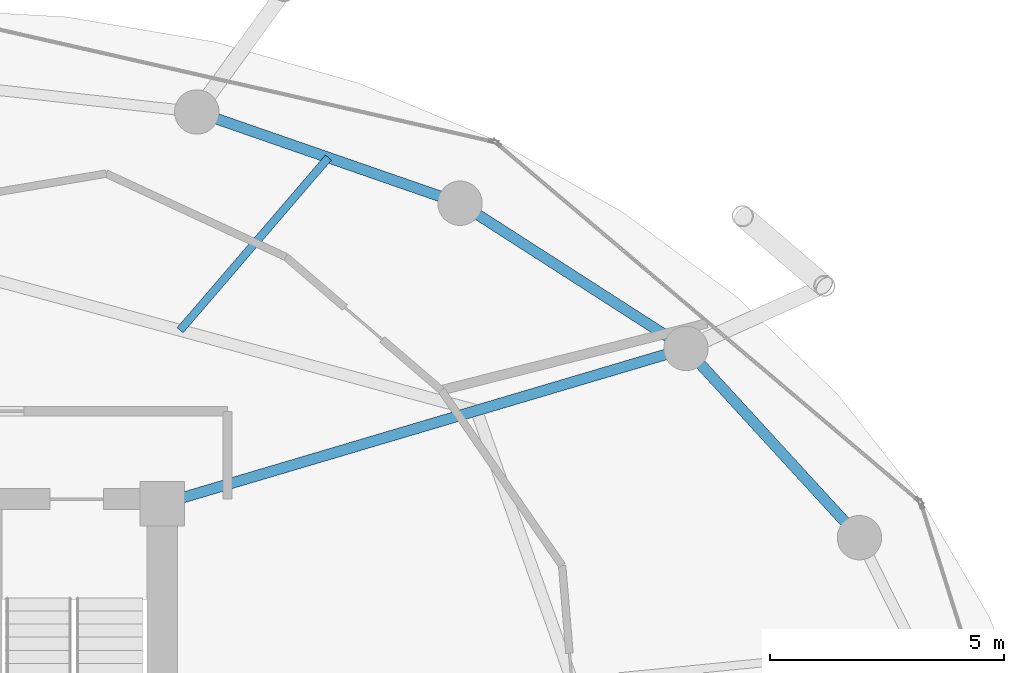
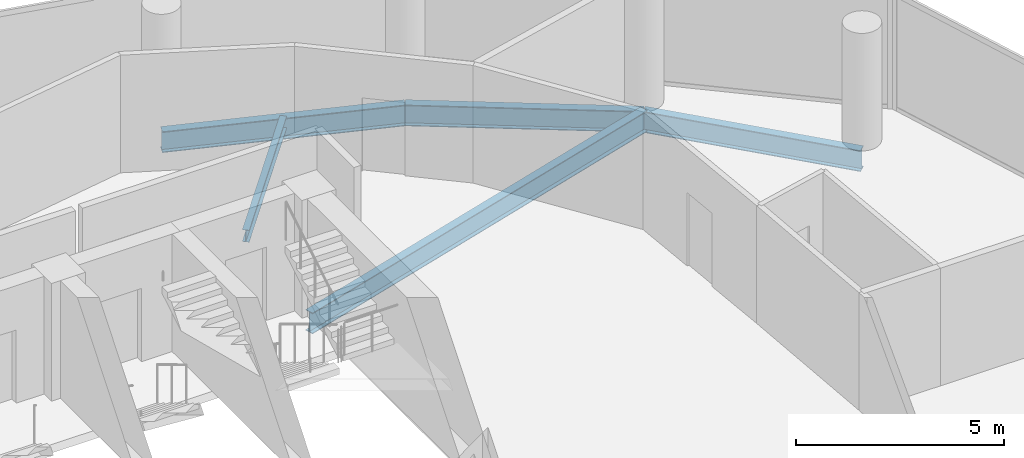
# One storey, part 18 of 26: 5 beams.
"""IFC4 building model written with IfcOpenShell, lengths in metres."""

import ifcopenshell
import ifcopenshell.guid

model = None  # the IFC model being written
_history = None  # IfcOwnerHistory: only IFC2X3 demands one
_inside = {}  # id of a spatial element -> (the spatial element, [elements in it])
_under = {}  # id of a project, library or spatial element -> (it, [spatial elements below it])
_declared = {}  # id of a project -> (the project, [libraries it declares])
_typed = {}  # id of a type object -> (the type object, [elements of that type])
_made_of = {}  # id of a material, layer set ... -> (it, [elements and type objects made of it])


def new_model(schema):
    """Start an empty IFC model of exactly this schema.

    Asked for "IFC4X3", IfcOpenShell would pick the latest addendum, in which some entities
    have other attributes; the version numbers below select the first issue.
    IFC2X3 requires an IfcOwnerHistory on every rooted entity: one is made here for all.
    """
    global model, _history
    if schema == "IFC4X3":
        model = ifcopenshell.file(schema_version=(4, 3, 0, 0))
    else:
        model = ifcopenshell.file(schema=schema)
    _inside.clear()
    _under.clear()
    _declared.clear()
    _typed.clear()
    _made_of.clear()
    _history = None
    if model.schema == "IFC2X3":
        org = make("IfcOrganization", Name="unknown")
        user = make(
            "IfcPersonAndOrganization",
            ThePerson=make("IfcPerson", FamilyName="unknown"),
            TheOrganization=org,
        )
        app = make(
            "IfcApplication",
            ApplicationDeveloper=org,
            Version="unknown",
            ApplicationFullName="unknown",
            ApplicationIdentifier="unknown",
        )
        _history = make(
            "IfcOwnerHistory",
            OwningUser=user,
            OwningApplication=app,
            ChangeAction="ADDED",
            CreationDate=0,
        )
    return model


def make(cls, **values):
    """One entity of the class cls with the attributes given. An attribute that is None is left unset."""
    return model.create_entity(
        cls, **{name: value for name, value in values.items() if value is not None}
    )


def rooted(cls, **values):
    """An entity with a GlobalId (a new one), such as an element, a storey or a relation."""
    return make(cls, GlobalId=ifcopenshell.guid.new(), OwnerHistory=_history, **values)


def si_unit(unit_type, name, prefix=None):
    """IfcSIUnit, for example si_unit("LENGTHUNIT", "METRE", prefix="MILLI")."""
    return make("IfcSIUnit", UnitType=unit_type, Prefix=prefix, Name=name)


def assignment(units):
    """IfcUnitAssignment: the units of a project."""
    return None if units is None else make("IfcUnitAssignment", Units=units)


def point(xyz):
    """IfcCartesianPoint."""
    return None if xyz is None else make("IfcCartesianPoint", Coordinates=xyz)


def direction(xyz):
    """IfcDirection."""
    return None if xyz is None else make("IfcDirection", DirectionRatios=xyz)


def frame(location, z_axis=None, x_axis=None):
    """IfcAxis2Placement3D, a coordinate frame: its origin and axes. An axis left out is left unset."""
    return make(
        "IfcAxis2Placement3D",
        Location=point(location),
        Axis=direction(z_axis),
        RefDirection=direction(x_axis),
    )


def frame_2d(location, x_axis=None):
    """IfcAxis2Placement2D, a coordinate frame in the plane: its origin and x axis."""
    return make(
        "IfcAxis2Placement2D", Location=point(location), RefDirection=direction(x_axis)
    )


def origin():
    """The frame at (0, 0, 0) with its axes left unset."""
    return frame((0.0, 0.0, 0.0))


def origin_2d():
    """The frame at (0, 0) in the plane with its x axis left unset."""
    return frame_2d((0.0, 0.0))


def place(relative_to, where):
    """IfcLocalPlacement: puts the frame where relative to a parent placement (None: the world)."""
    return make(
        "IfcLocalPlacement", PlacementRelTo=relative_to, RelativePlacement=where
    )


def context(
    kind, dimensions, precision=None, world=None, true_north=None, identifier=None
):
    """IfcGeometricRepresentationContext, for example the 3D "Model" context."""
    return make(
        "IfcGeometricRepresentationContext",
        ContextIdentifier=identifier,
        ContextType=kind,
        CoordinateSpaceDimension=dimensions,
        Precision=precision,
        WorldCoordinateSystem=world,
        TrueNorth=true_north,
    )


def subcontext(parent, identifier, kind, view, scale=None):
    """IfcGeometricRepresentationSubContext, for example "Body" below "Model"."""
    return make(
        "IfcGeometricRepresentationSubContext",
        ContextIdentifier=identifier,
        ContextType=kind,
        ParentContext=parent,
        TargetScale=scale,
        TargetView=view,
    )


def project(units=None, contexts=None):
    """IfcProject with its units and contexts."""
    return rooted(
        "IfcProject",
        Name="project",
        RepresentationContexts=contexts,
        UnitsInContext=assignment(units),
    )


def spatial(cls, under=None, at=None, **own):
    """A site, building, storey or space (cls), placed at a placement, below another one or the project."""
    s = rooted(cls, ObjectPlacement=at, **own)
    if under is not None:
        _under.setdefault(under.id(), (under, []))[1].append(s)
    return s


def profile(cls, at=None, kind="AREA", **sizes):
    """A parametric profile (cls). Its sizes go by their IFC names, for example OverallWidth=200.0."""
    return make(cls, ProfileType=kind, Position=at, **sizes)


def i_section(**sizes):
    """IfcIShapeProfileDef."""
    return profile("IfcIShapeProfileDef", **sizes)


def extrude(swept, where, along, depth):
    """IfcExtrudedAreaSolid: the profile swept, set in the frame where, extruded along a direction by depth."""
    return make(
        "IfcExtrudedAreaSolid",
        SweptArea=swept,
        Position=where,
        ExtrudedDirection=direction(along),
        Depth=depth,
    )


def shape(context_of_items, identifier, shape_type, items):
    """IfcShapeRepresentation: the items that make up one representation, for example the "Body"."""
    return make(
        "IfcShapeRepresentation",
        ContextOfItems=context_of_items,
        RepresentationIdentifier=identifier,
        RepresentationType=shape_type,
        Items=items,
    )


def material(Name=None, Category=None):
    """IfcMaterial."""
    return make("IfcMaterial", Name=Name, Category=Category)


def material_profile(
    of_material, cross_section, Name=None, Category=None, Priority=None
):
    """IfcMaterialProfile: a cross section and its material."""
    return make(
        "IfcMaterialProfile",
        Name=Name,
        Material=of_material,
        Profile=cross_section,
        Priority=Priority,
        Category=Category,
    )


def profile_set(profiles, Name=None, composite=None):
    """IfcMaterialProfileSet."""
    return make(
        "IfcMaterialProfileSet",
        Name=Name,
        MaterialProfiles=profiles,
        CompositeProfile=composite,
    )


def made_of(thing, what):
    """Note that an element or type object is made of a material, layer set ...; save() writes the relation."""
    if what is not None:
        _made_of.setdefault(what.id(), (what, []))[1].append(thing)
    return thing


def type_object(cls, material=None, **own):
    """A type object (cls), such as IfcWallType, which elements share."""
    return made_of(rooted(cls, **own), material)


def element(
    cls,
    number,
    at=None,
    inside=None,
    cuts=None,
    type_object=None,
    material=None,
    context=None,
    identifier="Body",
    shape_type=None,
    held_by="IfcProductDefinitionShape",
    body=None,
    shapes=None,
    **own,
):
    """One element of the class cls, such as IfcWall. Its Tag is "e" and its number.

    at: its placement. inside: the storey or other place that contains it. cuts: it is an
    opening in that element (IfcRelVoidsElement). A single representation is given by context,
    identifier, shape_type and body (its items); several are given by shapes. held_by: the class
    of the entity that holds the representations. save() writes the other relations.
    """
    e = rooted(cls, Tag="e%d" % number, ObjectPlacement=at, **own)
    if body is not None:
        shapes = [shape(context, identifier, shape_type, body)]
    if shapes is not None:
        e.Representation = make(held_by, Representations=shapes)
    if inside is not None:
        _inside.setdefault(inside.id(), (inside, []))[1].append(e)
    if cuts is not None:
        rooted(
            "IfcRelVoidsElement", RelatingBuildingElement=cuts, RelatedOpeningElement=e
        )
    if type_object is not None:
        _typed.setdefault(type_object.id(), (type_object, []))[1].append(e)
    return made_of(e, material)


def aggregate(whole, parts):
    """IfcRelAggregates: a whole, such as a stair, and the parts it consists of."""
    return rooted("IfcRelAggregates", RelatingObject=whole, RelatedObjects=parts)


def save(model, path):
    """Write the relations noted so far, then the file.

    IfcRelAggregates (storeys below a building ...), IfcRelContainedInSpatialStructure (elements
    in a storey), IfcRelDefinesByType, IfcRelAssociatesMaterial and IfcRelDeclares: one each for
    every whole, place, type object, material and project.
    """
    for whole, parts in _under.values():
        aggregate(whole, parts)
    for where, things in _inside.values():
        rooted(
            "IfcRelContainedInSpatialStructure",
            RelatedElements=things,
            RelatingStructure=where,
        )
    for kind, things in _typed.values():
        rooted("IfcRelDefinesByType", RelatedObjects=things, RelatingType=kind)
    for what, things in _made_of.values():
        rooted("IfcRelAssociatesMaterial", RelatedObjects=things, RelatingMaterial=what)
    for by, libraries in _declared.values():
        rooted("IfcRelDeclares", RelatingContext=by, RelatedDefinitions=libraries)
    model.write(path)


model = new_model("IFC4")

# Units and contexts
model_context = context("Model", 3, precision=1e-05, world=origin(), true_north=direction((0.0, 1.0)))
body_context = subcontext(model_context, "Body", "Model", "MODEL_VIEW")
ifc_project = project(units=[si_unit("LENGTHUNIT", "METRE"), si_unit("AREAUNIT", "SQUARE_METRE"), si_unit("VOLUMEUNIT", "CUBIC_METRE"), si_unit("PLANEANGLEUNIT", "RADIAN"), si_unit("MASSUNIT", "GRAM", prefix="KILO")], contexts=[model_context])

# Site, building, storey
site_placement = place(None, origin())
site = spatial("IfcSite", under=ifc_project, at=site_placement, CompositionType="ELEMENT")
building_placement = place(site_placement, origin())
building = spatial("IfcBuilding", under=site, at=building_placement, Name="Nuhasar Tower", CompositionType="ELEMENT")
storey_placement = place(building_placement, frame((0.0, 0.0, 181.14990234375)))
storey = spatial("IfcBuildingStorey", under=building, at=storey_placement, Name="L44", CompositionType="ELEMENT", Elevation=181.14990234375)

# Beams
ifc_material = material(Name="Steel S355", Category="steel")
ifc_material_profile_1 = material_profile(ifc_material, i_section(OverallWidth=0.1708984375, OverallDepth=0.35205078125, WebThickness=0.0068359375, FlangeThickness=0.009765625, at=origin_2d()), Name="W14X30")
ifc_profile_set_1 = profile_set([ifc_material_profile_1], Name="Steel S355")
beam_type_1 = type_object("IfcBeamType", Name="BM-JST-W14X30", PredefinedType="JOIST", material=ifc_profile_set_1)
beam_1_placement = place(storey_placement, frame((44.68408203125, 41.011962890625, -0.42578125), z_axis=(0.651690621509, 0.758484893612, 0.0), x_axis=(-0.758484893612, 0.651690621509, 0.0)))
element("IfcBeam", 1, at=beam_1_placement, inside=storey, type_object=beam_type_1, Name="L44 Secondary Floor Joist 05", PredefinedType="JOIST", context=body_context, shape_type="SweptSolid", body=[
    extrude(i_section(OverallWidth=0.1708984375, OverallDepth=0.35205078125, WebThickness=0.0068359375, FlangeThickness=0.009765625, at=origin_2d()), origin(), (0.0, 0.0, 1.0), 4.87158203125),
])
ifc_material_profile_2 = material_profile(ifc_material, i_section(OverallWidth=0.22900390625, OverallDepth=0.612060546875, WebThickness=0.011962890625, FlangeThickness=0.01953125, at=origin_2d()), Name="W24X84")
ifc_profile_set_2 = profile_set([ifc_material_profile_2], Name="Steel S355")
beam_type_2 = type_object("IfcBeamType", Name="BM-RAD-W24X84", PredefinedType="BEAM", material=ifc_profile_set_2)
beam_2_placement = place(storey_placement, frame((44.300048828125, 37.300048828125, -0.555908203125), z_axis=(0.958746492721, 0.284262489076, 0.0), x_axis=(-0.284262489076, 0.958746492721, 0.0)))
element("IfcBeam", 2, at=beam_2_placement, inside=storey, type_object=beam_type_2, Name="L44 Radial Floor Girder 05", PredefinedType="BEAM", context=body_context, shape_type="SweptSolid", body=[
    extrude(i_section(OverallWidth=0.22900390625, OverallDepth=0.612060546875, WebThickness=0.011962890625, FlangeThickness=0.01953125, at=origin_2d()), origin(), (0.0, 0.0, 1.0), 11.693359375),
])
ifc_material_profile_3 = material_profile(ifc_material, i_section(OverallWidth=0.22998046875, OverallDepth=0.616943359375, WebThickness=0.01318359375, FlangeThickness=0.022216796875, at=origin_2d()), Name="W24X94")
ifc_profile_set_3 = profile_set([ifc_material_profile_3], Name="Steel S355")
beam_type_3 = type_object("IfcBeamType", Name="BM-RING-W24X94", PredefinedType="SPANDREL", material=ifc_profile_set_3)
beam_3_placement = place(storey_placement, frame((59.221923828125, 36.574951171875, -0.558837890625), z_axis=(-0.675654174897, 0.737218716491, 0.0), x_axis=(-0.737218716491, -0.675654174897, 0.0)))
element("IfcBeam", 3, at=beam_3_placement, inside=storey, type_object=beam_type_3, Name="L44 Perimeter Ring Spandrel 03", PredefinedType="SPANDREL", context=body_context, shape_type="SweptSolid", body=[
    extrude(i_section(OverallWidth=0.22998046875, OverallDepth=0.616943359375, WebThickness=0.01318359375, FlangeThickness=0.022216796875, at=origin_2d()), origin(), (0.0, 0.0, 1.0), 5.492431640625),
])
beam_4_placement = place(storey_placement, frame((55.510986328125, 40.6240234375, -0.558837890625), z_axis=(-0.841327486207, 0.540525726448, 0.0), x_axis=(-0.540525726448, -0.841327486207, 0.0)))
element("IfcBeam", 4, at=beam_4_placement, inside=storey, type_object=beam_type_3, Name="L44 Perimeter Ring Spandrel 04", PredefinedType="SPANDREL", context=body_context, shape_type="SweptSolid", body=[
    extrude(i_section(OverallWidth=0.22998046875, OverallDepth=0.616943359375, WebThickness=0.01318359375, FlangeThickness=0.022216796875, at=origin_2d()), origin(), (0.0, 0.0, 1.0), 5.748046875),
])
beam_5_placement = place(storey_placement, frame((50.675048828125, 43.73095703125, -0.558837890625), z_axis=(-0.944801380051, 0.327643636066, 0.0), x_axis=(-0.327643636066, -0.944801380051, 0.0)))
element("IfcBeam", 5, at=beam_5_placement, inside=storey, type_object=beam_type_3, Name="L44 Perimeter Ring Spandrel 05", PredefinedType="SPANDREL", context=body_context, shape_type="SweptSolid", body=[
    extrude(i_section(OverallWidth=0.22998046875, OverallDepth=0.616943359375, WebThickness=0.01318359375, FlangeThickness=0.022216796875, at=origin_2d()), origin(), (0.0, 0.0, 1.0), 5.961181640625),
])

save(model, "model.ifc")
